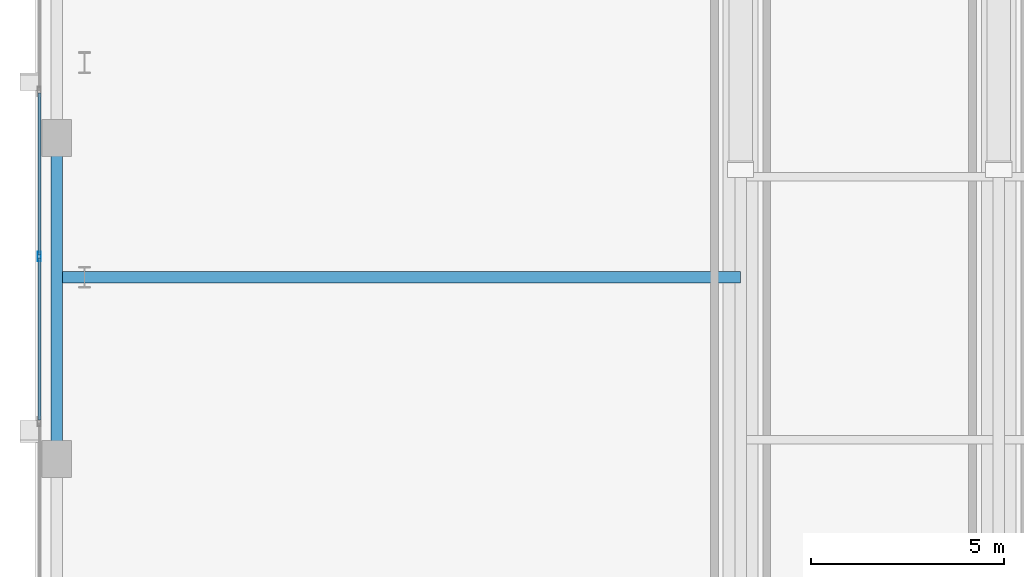
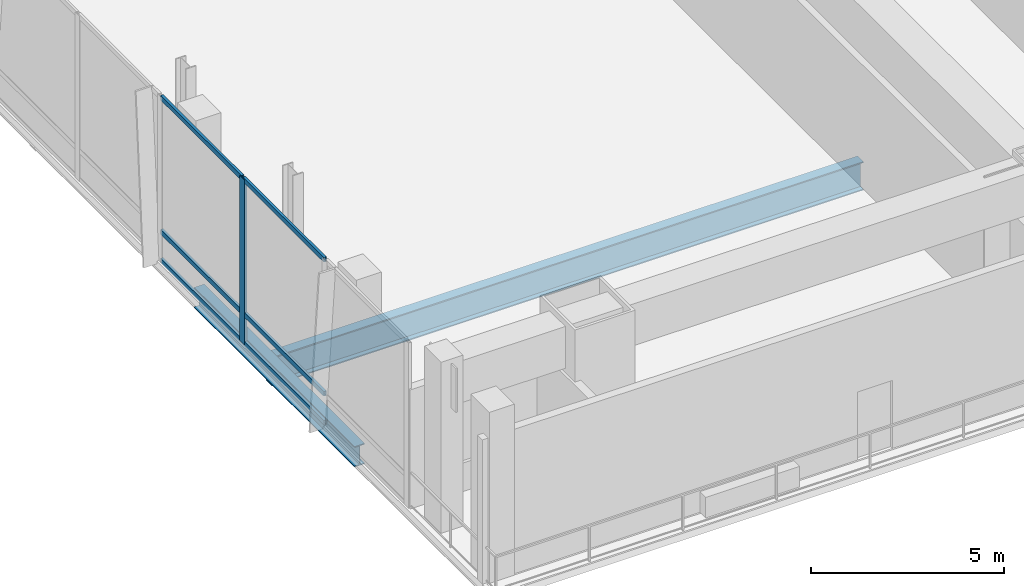
# One storey, part 6 of 26: 7 members, 2 beams, 1 element without a shape of its own.
"""IFC4 building model written with IfcOpenShell, lengths in metres."""

import ifcopenshell
import ifcopenshell.guid

model = None  # the IFC model being written
_history = None  # IfcOwnerHistory: only IFC2X3 demands one
_inside = {}  # id of a spatial element -> (the spatial element, [elements in it])
_under = {}  # id of a project, library or spatial element -> (it, [spatial elements below it])
_declared = {}  # id of a project -> (the project, [libraries it declares])
_typed = {}  # id of a type object -> (the type object, [elements of that type])
_made_of = {}  # id of a material, layer set ... -> (it, [elements and type objects made of it])


def new_model(schema):
    """Start an empty IFC model of exactly this schema.

    Asked for "IFC4X3", IfcOpenShell would pick the latest addendum, in which some entities
    have other attributes; the version numbers below select the first issue.
    IFC2X3 requires an IfcOwnerHistory on every rooted entity: one is made here for all.
    """
    global model, _history
    if schema == "IFC4X3":
        model = ifcopenshell.file(schema_version=(4, 3, 0, 0))
    else:
        model = ifcopenshell.file(schema=schema)
    _inside.clear()
    _under.clear()
    _declared.clear()
    _typed.clear()
    _made_of.clear()
    _history = None
    if model.schema == "IFC2X3":
        org = make("IfcOrganization", Name="unknown")
        user = make(
            "IfcPersonAndOrganization",
            ThePerson=make("IfcPerson", FamilyName="unknown"),
            TheOrganization=org,
        )
        app = make(
            "IfcApplication",
            ApplicationDeveloper=org,
            Version="unknown",
            ApplicationFullName="unknown",
            ApplicationIdentifier="unknown",
        )
        _history = make(
            "IfcOwnerHistory",
            OwningUser=user,
            OwningApplication=app,
            ChangeAction="ADDED",
            CreationDate=0,
        )
    return model


def make(cls, **values):
    """One entity of the class cls with the attributes given. An attribute that is None is left unset."""
    return model.create_entity(
        cls, **{name: value for name, value in values.items() if value is not None}
    )


def rooted(cls, **values):
    """An entity with a GlobalId (a new one), such as an element, a storey or a relation."""
    return make(cls, GlobalId=ifcopenshell.guid.new(), OwnerHistory=_history, **values)


def si_unit(unit_type, name, prefix=None):
    """IfcSIUnit, for example si_unit("LENGTHUNIT", "METRE", prefix="MILLI")."""
    return make("IfcSIUnit", UnitType=unit_type, Prefix=prefix, Name=name)


def assignment(units):
    """IfcUnitAssignment: the units of a project."""
    return None if units is None else make("IfcUnitAssignment", Units=units)


def point(xyz):
    """IfcCartesianPoint."""
    return None if xyz is None else make("IfcCartesianPoint", Coordinates=xyz)


def direction(xyz):
    """IfcDirection."""
    return None if xyz is None else make("IfcDirection", DirectionRatios=xyz)


def frame(location, z_axis=None, x_axis=None):
    """IfcAxis2Placement3D, a coordinate frame: its origin and axes. An axis left out is left unset."""
    return make(
        "IfcAxis2Placement3D",
        Location=point(location),
        Axis=direction(z_axis),
        RefDirection=direction(x_axis),
    )


def frame_2d(location, x_axis=None):
    """IfcAxis2Placement2D, a coordinate frame in the plane: its origin and x axis."""
    return make(
        "IfcAxis2Placement2D", Location=point(location), RefDirection=direction(x_axis)
    )


def origin():
    """The frame at (0, 0, 0) with its axes left unset."""
    return frame((0.0, 0.0, 0.0))


def origin_2d():
    """The frame at (0, 0) in the plane with its x axis left unset."""
    return frame_2d((0.0, 0.0))


def place(relative_to, where):
    """IfcLocalPlacement: puts the frame where relative to a parent placement (None: the world)."""
    return make(
        "IfcLocalPlacement", PlacementRelTo=relative_to, RelativePlacement=where
    )


def context(
    kind, dimensions, precision=None, world=None, true_north=None, identifier=None
):
    """IfcGeometricRepresentationContext, for example the 3D "Model" context."""
    return make(
        "IfcGeometricRepresentationContext",
        ContextIdentifier=identifier,
        ContextType=kind,
        CoordinateSpaceDimension=dimensions,
        Precision=precision,
        WorldCoordinateSystem=world,
        TrueNorth=true_north,
    )


def subcontext(parent, identifier, kind, view, scale=None):
    """IfcGeometricRepresentationSubContext, for example "Body" below "Model"."""
    return make(
        "IfcGeometricRepresentationSubContext",
        ContextIdentifier=identifier,
        ContextType=kind,
        ParentContext=parent,
        TargetScale=scale,
        TargetView=view,
    )


def project(units=None, contexts=None):
    """IfcProject with its units and contexts."""
    return rooted(
        "IfcProject",
        Name="project",
        RepresentationContexts=contexts,
        UnitsInContext=assignment(units),
    )


def spatial(cls, under=None, at=None, **own):
    """A site, building, storey or space (cls), placed at a placement, below another one or the project."""
    s = rooted(cls, ObjectPlacement=at, **own)
    if under is not None:
        _under.setdefault(under.id(), (under, []))[1].append(s)
    return s


def profile(cls, at=None, kind="AREA", **sizes):
    """A parametric profile (cls). Its sizes go by their IFC names, for example OverallWidth=200.0."""
    return make(cls, ProfileType=kind, Position=at, **sizes)


def hollow_rectangle(**sizes):
    """IfcRectangleHollowProfileDef."""
    return profile("IfcRectangleHollowProfileDef", **sizes)


def i_section(**sizes):
    """IfcIShapeProfileDef."""
    return profile("IfcIShapeProfileDef", **sizes)


def extrude(swept, where, along, depth):
    """IfcExtrudedAreaSolid: the profile swept, set in the frame where, extruded along a direction by depth."""
    return make(
        "IfcExtrudedAreaSolid",
        SweptArea=swept,
        Position=where,
        ExtrudedDirection=direction(along),
        Depth=depth,
    )


def shape(context_of_items, identifier, shape_type, items):
    """IfcShapeRepresentation: the items that make up one representation, for example the "Body"."""
    return make(
        "IfcShapeRepresentation",
        ContextOfItems=context_of_items,
        RepresentationIdentifier=identifier,
        RepresentationType=shape_type,
        Items=items,
    )


def material(Name=None, Category=None):
    """IfcMaterial."""
    return make("IfcMaterial", Name=Name, Category=Category)


def material_profile(
    of_material, cross_section, Name=None, Category=None, Priority=None
):
    """IfcMaterialProfile: a cross section and its material."""
    return make(
        "IfcMaterialProfile",
        Name=Name,
        Material=of_material,
        Profile=cross_section,
        Priority=Priority,
        Category=Category,
    )


def profile_set(profiles, Name=None, composite=None):
    """IfcMaterialProfileSet."""
    return make(
        "IfcMaterialProfileSet",
        Name=Name,
        MaterialProfiles=profiles,
        CompositeProfile=composite,
    )


def made_of(thing, what):
    """Note that an element or type object is made of a material, layer set ...; save() writes the relation."""
    if what is not None:
        _made_of.setdefault(what.id(), (what, []))[1].append(thing)
    return thing


def type_object(cls, material=None, **own):
    """A type object (cls), such as IfcWallType, which elements share."""
    return made_of(rooted(cls, **own), material)


def element(
    cls,
    number,
    at=None,
    inside=None,
    cuts=None,
    type_object=None,
    material=None,
    context=None,
    identifier="Body",
    shape_type=None,
    held_by="IfcProductDefinitionShape",
    body=None,
    shapes=None,
    **own,
):
    """One element of the class cls, such as IfcWall. Its Tag is "e" and its number.

    at: its placement. inside: the storey or other place that contains it. cuts: it is an
    opening in that element (IfcRelVoidsElement). A single representation is given by context,
    identifier, shape_type and body (its items); several are given by shapes. held_by: the class
    of the entity that holds the representations. save() writes the other relations.
    """
    e = rooted(cls, Tag="e%d" % number, ObjectPlacement=at, **own)
    if body is not None:
        shapes = [shape(context, identifier, shape_type, body)]
    if shapes is not None:
        e.Representation = make(held_by, Representations=shapes)
    if inside is not None:
        _inside.setdefault(inside.id(), (inside, []))[1].append(e)
    if cuts is not None:
        rooted(
            "IfcRelVoidsElement", RelatingBuildingElement=cuts, RelatedOpeningElement=e
        )
    if type_object is not None:
        _typed.setdefault(type_object.id(), (type_object, []))[1].append(e)
    return made_of(e, material)


def aggregate(whole, parts):
    """IfcRelAggregates: a whole, such as a stair, and the parts it consists of."""
    return rooted("IfcRelAggregates", RelatingObject=whole, RelatedObjects=parts)


def save(model, path):
    """Write the relations noted so far, then the file.

    IfcRelAggregates (storeys below a building ...), IfcRelContainedInSpatialStructure (elements
    in a storey), IfcRelDefinesByType, IfcRelAssociatesMaterial and IfcRelDeclares: one each for
    every whole, place, type object, material and project.
    """
    for whole, parts in _under.values():
        aggregate(whole, parts)
    for where, things in _inside.values():
        rooted(
            "IfcRelContainedInSpatialStructure",
            RelatedElements=things,
            RelatingStructure=where,
        )
    for kind, things in _typed.values():
        rooted("IfcRelDefinesByType", RelatedObjects=things, RelatingType=kind)
    for what, things in _made_of.values():
        rooted("IfcRelAssociatesMaterial", RelatedObjects=things, RelatingMaterial=what)
    for by, libraries in _declared.values():
        rooted("IfcRelDeclares", RelatingContext=by, RelatedDefinitions=libraries)
    model.write(path)


model = new_model("IFC4")

# Units and contexts
model_context = context("Model", 3, precision=1e-05, world=origin(), true_north=direction((0.0, 1.0)))
body_context = subcontext(model_context, "Body", "Model", "MODEL_VIEW")
ifc_project = project(units=[si_unit("LENGTHUNIT", "METRE"), si_unit("AREAUNIT", "SQUARE_METRE"), si_unit("VOLUMEUNIT", "CUBIC_METRE"), si_unit("PLANEANGLEUNIT", "RADIAN"), si_unit("MASSUNIT", "GRAM", prefix="KILO")], contexts=[model_context])

# Site, building, storey
site_placement = place(None, origin())
site = spatial("IfcSite", under=ifc_project, at=site_placement, CompositionType="ELEMENT")
building_placement = place(site_placement, origin())
building = spatial("IfcBuilding", under=site, at=building_placement, Name="Khoronbel Lancet Exchange", CompositionType="ELEMENT")
storey_placement = place(building_placement, frame((0.0, 0.0, 20.39990234375)))
storey = spatial("IfcBuildingStorey", under=building, at=storey_placement, Name="L04", CompositionType="ELEMENT", Elevation=20.39990234375)

# Beams
ifc_material_1 = material(Name="Steel S355", Category="steel")
ifc_material_profile_1 = material_profile(ifc_material_1, i_section(OverallWidth=0.300048828125, OverallDepth=0.89990234375, WebThickness=0.0185546875, FlangeThickness=0.034912109375, at=origin_2d()), Name="HEB 900")
ifc_profile_set_1 = profile_set([ifc_material_profile_1], Name="Steel S355")
beam_type_1 = type_object("IfcBeamType", Name="BM-BG1", PredefinedType="BEAM", material=ifc_profile_set_1)
beam_1_placement = place(storey_placement, frame((0.550048828125, 19.199951171875, -0.669921875), z_axis=(1.0, 0.0, 0.0), x_axis=(0.0, 1.0, 0.0)))
element("IfcBeam", 1, at=beam_1_placement, inside=storey, type_object=beam_type_1, Name="Level L04 west lens tie girder LG1W", PredefinedType="BEAM", context=body_context, shape_type="SweptSolid", body=[
    extrude(i_section(OverallWidth=0.300048828125, OverallDepth=0.89990234375, WebThickness=0.0185546875, FlangeThickness=0.034912109375, at=origin_2d()), origin(), (0.0, 0.0, 1.0), 17.675048828125),
])
ifc_material_profile_2 = material_profile(ifc_material_1, i_section(OverallWidth=0.300048828125, OverallDepth=0.64990234375, WebThickness=0.01611328125, FlangeThickness=0.031005859375, at=origin_2d()), Name="HEB 650")
ifc_profile_set_2 = profile_set([ifc_material_profile_2], Name="Steel S355")
beam_type_2 = type_object("IfcBeamType", Name="BM-BSP1", PredefinedType="SPANDREL", material=ifc_profile_set_2)
beam_2_placement = place(storey_placement, frame((0.550048828125, 22.800048828125, -0.544921875), z_axis=(0.0, -1.0, 0.0), x_axis=(1.0, 0.0, 0.0)))
element("IfcBeam", 2, at=beam_2_placement, inside=storey, type_object=beam_type_2, Name="Level L04 perimeter spandrel beam SP18", PredefinedType="SPANDREL", context=body_context, shape_type="SweptSolid", body=[
    extrude(i_section(OverallWidth=0.300048828125, OverallDepth=0.64990234375, WebThickness=0.01611328125, FlangeThickness=0.031005859375, at=origin_2d()), origin(), (0.0, 0.0, 1.0), 8.300048828125),
])

# Curtain wall, members
ifc_material_2 = material(Name="Low-E Solar Control Insulating Glass", Category="glass")
curtain_wall_type = type_object("IfcCurtainWallType", Name="CW-5", PredefinedType="NOTDEFINED", material=ifc_material_2)
curtain_wall_placement = place(storey_placement, origin())
curtain_wall = element("IfcCurtainWall", 3, at=curtain_wall_placement, inside=storey, type_object=curtain_wall_type, Name="Unitised curtain wall CW-L04-WEST", PredefinedType="NOTDEFINED")
ifc_material_3 = material(Name="Bronze-Anodised Aluminium 6063-T6", Category="aluminium")
ifc_material_profile_3 = material_profile(ifc_material_3, hollow_rectangle(XDim=0.0849609375, YDim=0.239990234375, WallThickness=0.006103515625, at=origin_2d()), Name="ALU MULLION 85x240")
ifc_profile_set_3 = profile_set([ifc_material_profile_3], Name="Bronze-Anodised Aluminium 6063-T6")
member_type_1 = type_object("IfcMemberType", Name="MEM-CWM1", PredefinedType="MULLION", material=ifc_profile_set_3)
member_1_placement = place(storey_placement, frame((0.10009765625, 19.7333984375, 0.0), z_axis=(0.0, 0.0, 1.0), x_axis=(1.0, 0.0, 0.0)))
member_1 = element("IfcMember", 4, at=member_1_placement, type_object=member_type_1, Name="CW5 mullion 8", PredefinedType="MULLION", context=body_context, shape_type="SweptSolid", body=[
    extrude(hollow_rectangle(XDim=0.0849609375, YDim=0.239990234375, WallThickness=0.006103515625, at=origin_2d()), origin(), (0.0, 0.0, 1.0), 5.22021484375),
])
ifc_material_profile_4 = material_profile(ifc_material_3, hollow_rectangle(XDim=0.074951171875, YDim=0.14990234375, WallThickness=0.00439453125, at=origin_2d()), Name="ALU TRANSOM 75x150")
ifc_profile_set_4 = profile_set([ifc_material_profile_4], Name="Bronze-Anodised Aluminium 6063-T6")
member_type_2 = type_object("IfcMemberType", Name="MEM-CWT2", PredefinedType="USERDEFINED", material=ifc_profile_set_4)
member_2_placement = place(storey_placement, frame((0.10009765625, 23.95751953125, 0.03759765625), z_axis=(0.0, -1.0, 0.0), x_axis=(1.0, 0.0, 0.0)))
member_2 = element("IfcMember", 5, at=member_2_placement, type_object=member_type_2, Name="CW5 transom 7.1", ObjectType="TRANSOM", PredefinedType="USERDEFINED", context=body_context, shape_type="SweptSolid", body=[
    extrude(hollow_rectangle(XDim=0.074951171875, YDim=0.14990234375, WallThickness=0.00439453125, at=origin_2d()), origin(), (0.0, 0.0, 1.0), 4.181640625),
])
member_3_placement = place(storey_placement, frame((0.10009765625, 23.95751953125, 0.9501953125), z_axis=(0.0, -1.0, 0.0), x_axis=(1.0, 0.0, 0.0)))
member_3 = element("IfcMember", 6, at=member_3_placement, type_object=member_type_2, Name="CW5 transom 7.2", ObjectType="TRANSOM", PredefinedType="USERDEFINED", context=body_context, shape_type="SweptSolid", body=[
    extrude(hollow_rectangle(XDim=0.074951171875, YDim=0.14990234375, WallThickness=0.00439453125, at=origin_2d()), origin(), (0.0, 0.0, 1.0), 4.181640625),
])
member_4_placement = place(storey_placement, frame((0.10009765625, 23.95751953125, 5.1826171875), z_axis=(0.0, -1.0, 0.0), x_axis=(1.0, 0.0, 0.0)))
member_4 = element("IfcMember", 7, at=member_4_placement, type_object=member_type_2, Name="CW5 transom 7.3", ObjectType="TRANSOM", PredefinedType="USERDEFINED", context=body_context, shape_type="SweptSolid", body=[
    extrude(hollow_rectangle(XDim=0.074951171875, YDim=0.14990234375, WallThickness=0.00439453125, at=origin_2d()), origin(), (0.0, 0.0, 1.0), 4.181640625),
])
member_5_placement = place(storey_placement, frame((0.10009765625, 19.69091796875, 0.03759765625), z_axis=(0.0, -1.0, 0.0), x_axis=(1.0, 0.0, 0.0)))
member_5 = element("IfcMember", 8, at=member_5_placement, type_object=member_type_2, Name="CW5 transom 8.1", ObjectType="TRANSOM", PredefinedType="USERDEFINED", context=body_context, shape_type="SweptSolid", body=[
    extrude(hollow_rectangle(XDim=0.074951171875, YDim=0.14990234375, WallThickness=0.00439453125, at=origin_2d()), origin(), (0.0, 0.0, 1.0), 4.181640625),
])
member_6_placement = place(storey_placement, frame((0.10009765625, 19.69091796875, 0.9501953125), z_axis=(0.0, -1.0, 0.0), x_axis=(1.0, 0.0, 0.0)))
member_6 = element("IfcMember", 9, at=member_6_placement, type_object=member_type_2, Name="CW5 transom 8.2", ObjectType="TRANSOM", PredefinedType="USERDEFINED", context=body_context, shape_type="SweptSolid", body=[
    extrude(hollow_rectangle(XDim=0.074951171875, YDim=0.14990234375, WallThickness=0.00439453125, at=origin_2d()), origin(), (0.0, 0.0, 1.0), 4.181640625),
])
member_7_placement = place(storey_placement, frame((0.10009765625, 19.69091796875, 5.1826171875), z_axis=(0.0, -1.0, 0.0), x_axis=(1.0, 0.0, 0.0)))
member_7 = element("IfcMember", 10, at=member_7_placement, type_object=member_type_2, Name="CW5 transom 8.3", ObjectType="TRANSOM", PredefinedType="USERDEFINED", context=body_context, shape_type="SweptSolid", body=[
    extrude(hollow_rectangle(XDim=0.074951171875, YDim=0.14990234375, WallThickness=0.00439453125, at=origin_2d()), origin(), (0.0, 0.0, 1.0), 4.181640625),
])
aggregate(curtain_wall, [member_1, member_2, member_3, member_4, member_5, member_6, member_7])

save(model, "model.ifc")
